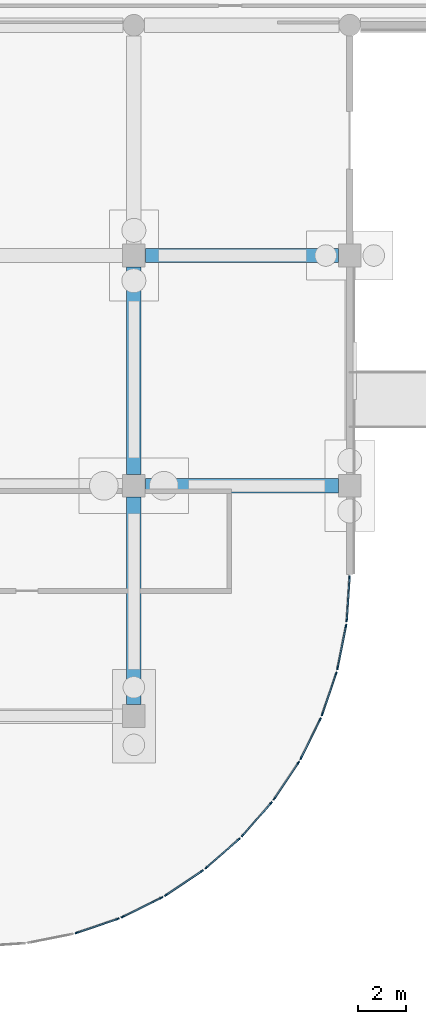
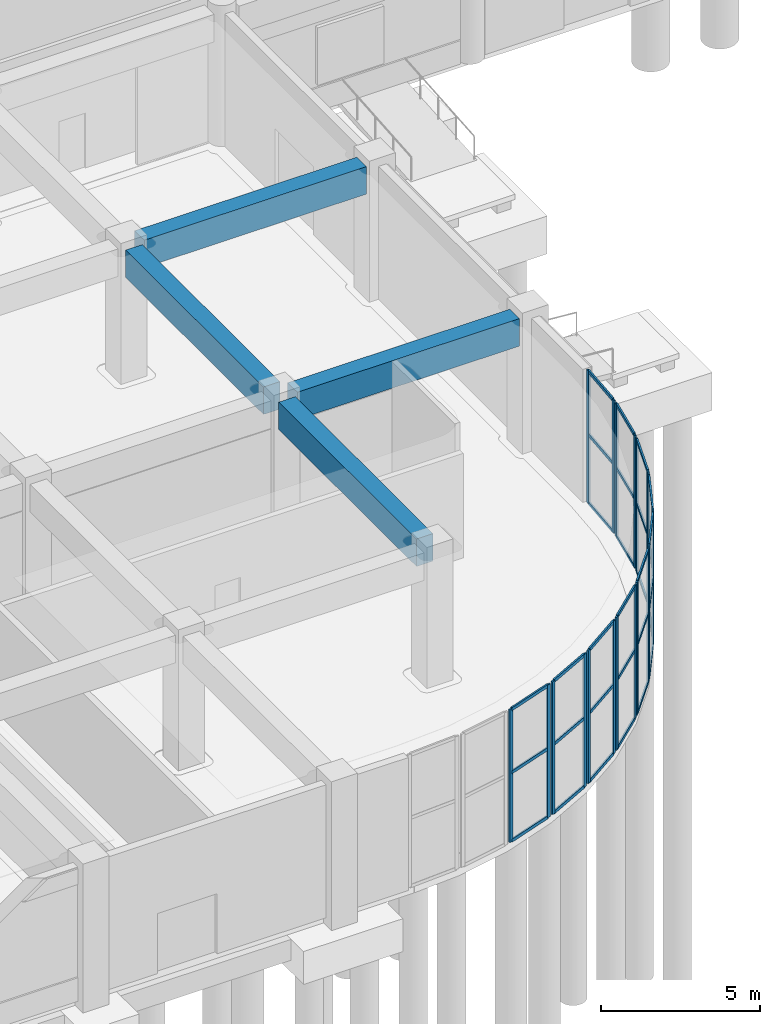
# One storey, part 16 of 74: 50 members, 4 beams, 10 elements without a shape of their own.
"""IFC4 building model written with IfcOpenShell, lengths in metres."""

from ifc_helpers import new_model, si_unit, direction, frame, origin, origin_2d, place, context, subcontext, project, spatial, rectangle, extrude, material, layer, layer_set, material_profile, profile_set, type_object, element, aggregate, save


model = new_model("IFC4")

# Units and contexts
model_context = context("Model", 3, precision=1e-05, world=origin(), true_north=direction((0.0, 1.0)))
body_context = subcontext(model_context, "Body", "Model", "MODEL_VIEW")
ifc_project = project(units=[si_unit("LENGTHUNIT", "METRE"), si_unit("AREAUNIT", "SQUARE_METRE"), si_unit("VOLUMEUNIT", "CUBIC_METRE"), si_unit("PLANEANGLEUNIT", "RADIAN"), si_unit("MASSUNIT", "GRAM", prefix="KILO")], contexts=[model_context])

# Site, building, storey
site_placement = place(None, origin())
site = spatial("IfcSite", under=ifc_project, at=site_placement, CompositionType="ELEMENT")
building_placement = place(site_placement, origin())
building = spatial("IfcBuilding", under=site, at=building_placement, Name="Cendralis Terraced Arcade", CompositionType="ELEMENT")
storey_placement = place(building_placement, origin())
storey = spatial("IfcBuildingStorey", under=building, at=storey_placement, Name="L00", CompositionType="ELEMENT", Elevation=0.0)

# Beams
ifc_material_1 = material(Name="Concrete f'c 35 MPa", Category="concrete")
ifc_material_profile_1 = material_profile(ifc_material_1, rectangle(XDim=0.60009765625, YDim=1.050048828125, at=origin_2d()), Name="RC-BM-600x1050", Category="LoadBearing")
ifc_profile_set_1 = profile_set([ifc_material_profile_1], Name="Concrete f'c 35 MPa")
beam_type = type_object("IfcBeamType", Name="BM-600x1050", PredefinedType="JOIST", material=ifc_profile_set_1)
for number, where, z_axis, x_axis, name in (
    (1, (130.675048828125, 19.199951171875, 4.56494140625), (1.0, 0.0, 0.0), (0.0, 1.0, 0.0), "Reinforced Concrete Frame Beam BM-X-L01-C-15_16"),
    (2, (130.675048828125, 28.800048828125, 4.56494140625), (1.0, 0.0, 0.0), (0.0, 1.0, 0.0), "Reinforced Concrete Frame Beam BM-X-L01-D-15_16"),
):
    element("IfcBeam", number, at=place(storey_placement, frame(where, z_axis=z_axis, x_axis=x_axis)), inside=storey, type_object=beam_type, Name=name, PredefinedType="JOIST", context=body_context, shape_type="SweptSolid", body=[
        extrude(rectangle(XDim=0.60009765625, YDim=1.050048828125, at=origin_2d()), origin(), (0.0, 0.0, 1.0), 8.050048828125),
    ])
beam_1_placement = place(storey_placement, frame((130.199951171875, 10.074951171875, 4.56494140625), z_axis=(0.0, 1.0, 0.0), x_axis=(-1.0, 0.0, 0.0)))
element("IfcBeam", 3, at=beam_1_placement, inside=storey, type_object=beam_type, Name="Reinforced Concrete Frame Beam BM-Y-L01-15-B_C", PredefinedType="JOIST", context=body_context, shape_type="SweptSolid", body=[
    extrude(rectangle(XDim=0.60009765625, YDim=1.050048828125, at=origin_2d()), origin(), (0.0, 0.0, 1.0), 8.650146484375),
])
beam_2_placement = place(storey_placement, frame((130.199951171875, 19.675048828125, 4.56494140625), z_axis=(0.0, 1.0, 0.0), x_axis=(-1.0, 0.0, 0.0)))
element("IfcBeam", 4, at=beam_2_placement, inside=storey, type_object=beam_type, Name="Reinforced Concrete Frame Beam BM-Y-L01-15-C_D", PredefinedType="JOIST", context=body_context, shape_type="SweptSolid", body=[
    extrude(rectangle(XDim=0.60009765625, YDim=1.050048828125, at=origin_2d()), origin(), (0.0, 0.0, 1.0), 8.64990234375),
])

# Curtain wall, members
ifc_material_2 = material(Name="Anodised aluminium EN AW-6063 T6", Category="aluminium")
ifc_layer = layer(ifc_material_2, 0.139892578125, Name="CW-STORE-A")
ifc_layer_set = layer_set([ifc_layer], Name="Anodised aluminium EN AW-6063 T6")
curtain_wall_type = type_object("IfcCurtainWallType", Name="CW-STORE-A", PredefinedType="USERDEFINED", material=ifc_layer_set)
curtain_wall_1_placement = place(storey_placement, origin())
curtain_wall_1 = element("IfcCurtainWall", 5, at=curtain_wall_1_placement, inside=storey, type_object=curtain_wall_type, Name="Exterior Storefront Glazing CW-L00-0001", ObjectType="STOREFRONT GLAZING", PredefinedType="USERDEFINED")
ifc_material_profile_2 = material_profile(ifc_material_2, rectangle(XDim=0.06005859375, YDim=0.139892578125, at=origin_2d()), Name="ALU-MUL-60x140")
ifc_profile_set_2 = profile_set([ifc_material_profile_2], Name="Anodised aluminium EN AW-6063 T6")
member_type_1 = type_object("IfcMemberType", Name="CW-STORE-A-MUL", PredefinedType="MULLION", material=ifc_profile_set_2)
member_1_placement = place(storey_placement, frame((139.192138671875, 15.38037109375, 0.0), z_axis=(0.0, 0.0, 1.0), x_axis=(0.997860192175, -0.065383766124, 0.0)))
member_1 = element("IfcMember", 6, at=member_1_placement, type_object=member_type_1, Name="CW-S1 mullion 1", PredefinedType="MULLION", context=body_context, shape_type="SweptSolid", body=[
    extrude(rectangle(XDim=0.06005859375, YDim=0.139892578125, at=origin_2d()), origin(), (0.0, 0.0, 1.0), 5.090087890625),
])
member_2_placement = place(storey_placement, frame((139.0751953125, 13.596435546875, 0.0), z_axis=(0.0, 0.0, 1.0), x_axis=(0.997860192175, -0.065383766124, 0.0)))
member_2 = element("IfcMember", 7, at=member_2_placement, type_object=member_type_1, Name="CW-S1 mullion 2", PredefinedType="MULLION", context=body_context, shape_type="SweptSolid", body=[
    extrude(rectangle(XDim=0.06005859375, YDim=0.139892578125, at=origin_2d()), origin(), (0.0, 0.0, 1.0), 5.090087890625),
])

curtain_wall_2_placement = place(storey_placement, origin())
curtain_wall_2 = element("IfcCurtainWall", 8, at=curtain_wall_2_placement, inside=storey, type_object=curtain_wall_type, Name="Exterior Storefront Glazing CW-L00-0002", ObjectType="STOREFRONT GLAZING", PredefinedType="USERDEFINED")
member_3_placement = place(storey_placement, frame((139.0439453125, 13.359130859375, 0.0), z_axis=(0.0, 0.0, 1.0), x_axis=(0.980796601395, -0.195033398913, 0.0)))
member_3 = element("IfcMember", 9, at=member_3_placement, type_object=member_type_1, Name="CW-S1 mullion 1", PredefinedType="MULLION", context=body_context, shape_type="SweptSolid", body=[
    extrude(rectangle(XDim=0.06005859375, YDim=0.139892578125, at=origin_2d()), origin(), (0.0, 0.0, 1.0), 5.090087890625),
])
member_4_placement = place(storey_placement, frame((138.6953125, 11.60595703125, 0.0), z_axis=(0.0, 0.0, 1.0), x_axis=(0.980796601395, -0.195033398913, 0.0)))
member_4 = element("IfcMember", 10, at=member_4_placement, type_object=member_type_1, Name="CW-S1 mullion 2", PredefinedType="MULLION", context=body_context, shape_type="SweptSolid", body=[
    extrude(rectangle(XDim=0.06005859375, YDim=0.139892578125, at=origin_2d()), origin(), (0.0, 0.0, 1.0), 5.090087890625),
])

curtain_wall_3_placement = place(storey_placement, origin())
curtain_wall_3 = element("IfcCurtainWall", 11, at=curtain_wall_3_placement, inside=storey, type_object=curtain_wall_type, Name="Exterior Storefront Glazing CW-L00-0003", ObjectType="STOREFRONT GLAZING", PredefinedType="USERDEFINED")
member_5_placement = place(storey_placement, frame((138.63330078125, 11.374755859375, 0.0), z_axis=(0.0, 0.0, 1.0), x_axis=(0.946909571674, -0.32150002033, 0.0)))
member_5 = element("IfcMember", 12, at=member_5_placement, type_object=member_type_1, Name="CW-S1 mullion 1", PredefinedType="MULLION", context=body_context, shape_type="SweptSolid", body=[
    extrude(rectangle(XDim=0.06005859375, YDim=0.139892578125, at=origin_2d()), origin(), (0.0, 0.0, 1.0), 5.090087890625),
])
member_6_placement = place(storey_placement, frame((138.05859375, 9.68212890625, 0.0), z_axis=(0.0, 0.0, 1.0), x_axis=(0.946909571674, -0.32150002033, 0.0)))
member_6 = element("IfcMember", 13, at=member_6_placement, type_object=member_type_1, Name="CW-S1 mullion 2", PredefinedType="MULLION", context=body_context, shape_type="SweptSolid", body=[
    extrude(rectangle(XDim=0.06005859375, YDim=0.139892578125, at=origin_2d()), origin(), (0.0, 0.0, 1.0), 5.090087890625),
])

curtain_wall_4_placement = place(storey_placement, origin())
curtain_wall_4 = element("IfcCurtainWall", 14, at=curtain_wall_4_placement, inside=storey, type_object=curtain_wall_type, Name="Exterior Storefront Glazing CW-L00-0004", ObjectType="STOREFRONT GLAZING", PredefinedType="USERDEFINED")
member_7_placement = place(storey_placement, frame((137.967041015625, 9.460693359375, 0.0), z_axis=(0.0, 0.0, 1.0), x_axis=(0.896881752867, -0.442270416572, 0.0)))
member_7 = element("IfcMember", 15, at=member_7_placement, type_object=member_type_1, Name="CW-S1 mullion 1", PredefinedType="MULLION", context=body_context, shape_type="SweptSolid", body=[
    extrude(rectangle(XDim=0.06005859375, YDim=0.139892578125, at=origin_2d()), origin(), (0.0, 0.0, 1.0), 5.090087890625),
])
member_8_placement = place(storey_placement, frame((137.176513671875, 7.857666015625, 0.0), z_axis=(0.0, 0.0, 1.0), x_axis=(0.896881752867, -0.442270416572, 0.0)))
member_8 = element("IfcMember", 16, at=member_8_placement, type_object=member_type_1, Name="CW-S1 mullion 2", PredefinedType="MULLION", context=body_context, shape_type="SweptSolid", body=[
    extrude(rectangle(XDim=0.06005859375, YDim=0.139892578125, at=origin_2d()), origin(), (0.0, 0.0, 1.0), 5.090087890625),
])

curtain_wall_5_placement = place(storey_placement, origin())
curtain_wall_5 = element("IfcCurtainWall", 17, at=curtain_wall_5_placement, inside=storey, type_object=curtain_wall_type, Name="Exterior Storefront Glazing CW-L00-0005", ObjectType="STOREFRONT GLAZING", PredefinedType="USERDEFINED")
member_9_placement = place(storey_placement, frame((137.056640625, 7.650146484375, 0.0), z_axis=(0.0, 0.0, 1.0), x_axis=(0.831483619587, -0.555549269065, 0.0)))
member_9 = element("IfcMember", 18, at=member_9_placement, type_object=member_type_1, Name="CW-S1 mullion 1", PredefinedType="MULLION", context=body_context, shape_type="SweptSolid", body=[
    extrude(rectangle(XDim=0.06005859375, YDim=0.139892578125, at=origin_2d()), origin(), (0.0, 0.0, 1.0), 5.090087890625),
])
member_10_placement = place(storey_placement, frame((136.063720703125, 6.1640625, 0.0), z_axis=(0.0, 0.0, 1.0), x_axis=(0.831483619587, -0.555549269065, 0.0)))
member_10 = element("IfcMember", 19, at=member_10_placement, type_object=member_type_1, Name="CW-S1 mullion 2", PredefinedType="MULLION", context=body_context, shape_type="SweptSolid", body=[
    extrude(rectangle(XDim=0.06005859375, YDim=0.139892578125, at=origin_2d()), origin(), (0.0, 0.0, 1.0), 5.090087890625),
])

curtain_wall_6_placement = place(storey_placement, origin())
curtain_wall_6 = element("IfcCurtainWall", 20, at=curtain_wall_6_placement, inside=storey, type_object=curtain_wall_type, Name="Exterior Storefront Glazing CW-L00-0006", ObjectType="STOREFRONT GLAZING", PredefinedType="USERDEFINED")
member_11_placement = place(storey_placement, frame((135.91796875, 5.973876953125, 0.0), z_axis=(0.0, 0.0, 1.0), x_axis=(0.751818424075, -0.659370197402, 0.0)))
member_11 = element("IfcMember", 21, at=member_11_placement, type_object=member_type_1, Name="CW-S1 mullion 1", PredefinedType="MULLION", context=body_context, shape_type="SweptSolid", body=[
    extrude(rectangle(XDim=0.06005859375, YDim=0.139892578125, at=origin_2d()), origin(), (0.0, 0.0, 1.0), 5.090087890625),
])
member_12_placement = place(storey_placement, frame((134.7392578125, 4.630126953125, 0.0), z_axis=(0.0, 0.0, 1.0), x_axis=(0.751818424075, -0.659370197402, 0.0)))
member_12 = element("IfcMember", 22, at=member_12_placement, type_object=member_type_1, Name="CW-S1 mullion 2", PredefinedType="MULLION", context=body_context, shape_type="SweptSolid", body=[
    extrude(rectangle(XDim=0.06005859375, YDim=0.139892578125, at=origin_2d()), origin(), (0.0, 0.0, 1.0), 5.090087890625),
])

curtain_wall_7_placement = place(storey_placement, origin())
curtain_wall_7 = element("IfcCurtainWall", 23, at=curtain_wall_7_placement, inside=storey, type_object=curtain_wall_type, Name="Exterior Storefront Glazing CW-L00-0007", ObjectType="STOREFRONT GLAZING", PredefinedType="USERDEFINED")
member_13_placement = place(storey_placement, frame((134.56982421875, 4.460693359375, 0.0), z_axis=(0.0, 0.0, 1.0), x_axis=(0.659370197402, -0.751818424075, 0.0)))
member_13 = element("IfcMember", 24, at=member_13_placement, type_object=member_type_1, Name="CW-S1 mullion 1", PredefinedType="MULLION", context=body_context, shape_type="SweptSolid", body=[
    extrude(rectangle(XDim=0.06005859375, YDim=0.139892578125, at=origin_2d()), origin(), (0.0, 0.0, 1.0), 5.090087890625),
])
member_14_placement = place(storey_placement, frame((133.22607421875, 3.281982421875, 0.0), z_axis=(0.0, 0.0, 1.0), x_axis=(0.659370197402, -0.751818424075, 0.0)))
member_14 = element("IfcMember", 25, at=member_14_placement, type_object=member_type_1, Name="CW-S1 mullion 2", PredefinedType="MULLION", context=body_context, shape_type="SweptSolid", body=[
    extrude(rectangle(XDim=0.06005859375, YDim=0.139892578125, at=origin_2d()), origin(), (0.0, 0.0, 1.0), 5.090087890625),
])

curtain_wall_8_placement = place(storey_placement, origin())
curtain_wall_8 = element("IfcCurtainWall", 26, at=curtain_wall_8_placement, inside=storey, type_object=curtain_wall_type, Name="Exterior Storefront Glazing CW-L00-0008", ObjectType="STOREFRONT GLAZING", PredefinedType="USERDEFINED")
member_15_placement = place(storey_placement, frame((133.0361328125, 3.13623046875, 0.0), z_axis=(0.0, 0.0, 1.0), x_axis=(0.555549269065, -0.831483619587, 0.0)))
member_15 = element("IfcMember", 27, at=member_15_placement, type_object=member_type_1, Name="CW-S1 mullion 1", PredefinedType="MULLION", context=body_context, shape_type="SweptSolid", body=[
    extrude(rectangle(XDim=0.06005859375, YDim=0.139892578125, at=origin_2d()), origin(), (0.0, 0.0, 1.0), 5.090087890625),
])
member_16_placement = place(storey_placement, frame((131.5498046875, 2.143310546875, 0.0), z_axis=(0.0, 0.0, 1.0), x_axis=(0.555549269065, -0.831483619587, 0.0)))
member_16 = element("IfcMember", 28, at=member_16_placement, type_object=member_type_1, Name="CW-S1 mullion 2", PredefinedType="MULLION", context=body_context, shape_type="SweptSolid", body=[
    extrude(rectangle(XDim=0.06005859375, YDim=0.139892578125, at=origin_2d()), origin(), (0.0, 0.0, 1.0), 5.090087890625),
])

curtain_wall_9_placement = place(storey_placement, origin())
curtain_wall_9 = element("IfcCurtainWall", 29, at=curtain_wall_9_placement, inside=storey, type_object=curtain_wall_type, Name="Exterior Storefront Glazing CW-L00-0009", ObjectType="STOREFRONT GLAZING", PredefinedType="USERDEFINED")
member_17_placement = place(storey_placement, frame((131.34228515625, 2.0234375, 0.0), z_axis=(0.0, 0.0, 1.0), x_axis=(0.442270416572, -0.896881752867, 0.0)))
member_17 = element("IfcMember", 30, at=member_17_placement, type_object=member_type_1, Name="CW-S1 mullion 1", PredefinedType="MULLION", context=body_context, shape_type="SweptSolid", body=[
    extrude(rectangle(XDim=0.06005859375, YDim=0.139892578125, at=origin_2d()), origin(), (0.0, 0.0, 1.0), 5.090087890625),
])
member_18_placement = place(storey_placement, frame((129.7392578125, 1.23291015625, 0.0), z_axis=(0.0, 0.0, 1.0), x_axis=(0.442270416572, -0.896881752867, 0.0)))
member_18 = element("IfcMember", 31, at=member_18_placement, type_object=member_type_1, Name="CW-S1 mullion 2", PredefinedType="MULLION", context=body_context, shape_type="SweptSolid", body=[
    extrude(rectangle(XDim=0.06005859375, YDim=0.139892578125, at=origin_2d()), origin(), (0.0, 0.0, 1.0), 5.090087890625),
])

curtain_wall_10_placement = place(storey_placement, origin())
curtain_wall_10 = element("IfcCurtainWall", 32, at=curtain_wall_10_placement, inside=storey, type_object=curtain_wall_type, Name="Exterior Storefront Glazing CW-L00-0010", ObjectType="STOREFRONT GLAZING", PredefinedType="USERDEFINED")
member_19_placement = place(storey_placement, frame((129.51806640625, 1.141357421875, 0.0), z_axis=(0.0, 0.0, 1.0), x_axis=(0.32150002033, -0.946909571674, 0.0)))
member_19 = element("IfcMember", 33, at=member_19_placement, type_object=member_type_1, Name="CW-S1 mullion 1", PredefinedType="MULLION", context=body_context, shape_type="SweptSolid", body=[
    extrude(rectangle(XDim=0.06005859375, YDim=0.139892578125, at=origin_2d()), origin(), (0.0, 0.0, 1.0), 5.090087890625),
])
member_20_placement = place(storey_placement, frame((127.8251953125, 0.566650390625, 0.0), z_axis=(0.0, 0.0, 1.0), x_axis=(0.32150002033, -0.946909571674, 0.0)))
member_20 = element("IfcMember", 34, at=member_20_placement, type_object=member_type_1, Name="CW-S1 mullion 2", PredefinedType="MULLION", context=body_context, shape_type="SweptSolid", body=[
    extrude(rectangle(XDim=0.06005859375, YDim=0.139892578125, at=origin_2d()), origin(), (0.0, 0.0, 1.0), 5.090087890625),
])

# Member
ifc_material_profile_3 = material_profile(ifc_material_2, rectangle(XDim=0.06005859375, YDim=0.1201171875, at=origin_2d()), Name="ALU-TRN-60x120")
ifc_profile_set_3 = profile_set([ifc_material_profile_3], Name="Anodised aluminium EN AW-6063 T6")
member_type_2 = type_object("IfcMemberType", Name="CW-STORE-A-TRN", PredefinedType="USERDEFINED", material=ifc_profile_set_3)
member_21_placement = place(storey_placement, frame((139.190185546875, 15.350341796875, 0.030029296875), z_axis=(-0.065430935766, -0.997857100313, 0.0), x_axis=(0.997857100313, -0.065430935766, 0.0)))
member_21 = element("IfcMember", 35, at=member_21_placement, type_object=member_type_2, Name="CW-S1 transom 1.1", ObjectType="TRANSOM", PredefinedType="USERDEFINED", context=body_context, shape_type="SweptSolid", body=[
    extrude(rectangle(XDim=0.06005859375, YDim=0.1201171875, at=origin_2d()), origin(), (0.0, 0.0, 1.0), 1.7275390625),
])

member_22_placement = place(storey_placement, frame((139.190185546875, 15.350341796875, 2.646728515625), z_axis=(-0.065430935766, -0.997857100313, 0.0), x_axis=(0.997857100313, -0.065430935766, 0.0)))
member_22 = element("IfcMember", 36, at=member_22_placement, type_object=member_type_2, Name="CW-S1 transom 1.2", ObjectType="TRANSOM", PredefinedType="USERDEFINED", context=body_context, shape_type="SweptSolid", body=[
    extrude(rectangle(XDim=0.06005859375, YDim=0.1201171875, at=origin_2d()), origin(), (0.0, 0.0, 1.0), 1.7275390625),
])

member_23_placement = place(storey_placement, frame((139.190185546875, 15.350341796875, 5.06005859375), z_axis=(-0.065430935766, -0.997857100313, 0.0), x_axis=(0.997857100313, -0.065430935766, 0.0)))
member_23 = element("IfcMember", 37, at=member_23_placement, type_object=member_type_2, Name="CW-S1 transom 1.3", ObjectType="TRANSOM", PredefinedType="USERDEFINED", context=body_context, shape_type="SweptSolid", body=[
    extrude(rectangle(XDim=0.06005859375, YDim=0.1201171875, at=origin_2d()), origin(), (0.0, 0.0, 1.0), 1.7275390625),
])

aggregate(curtain_wall_1, [member_1, member_2, member_21, member_22, member_23])

member_24_placement = place(storey_placement, frame((139.0380859375, 13.32958984375, 0.030029296875), z_axis=(-0.195055933937, -0.980792119991, 0.0), x_axis=(0.980792119991, -0.195055933937, 0.0)))
member_24 = element("IfcMember", 38, at=member_24_placement, type_object=member_type_2, Name="CW-S1 transom 1.1", ObjectType="TRANSOM", PredefinedType="USERDEFINED", context=body_context, shape_type="SweptSolid", body=[
    extrude(rectangle(XDim=0.06005859375, YDim=0.1201171875, at=origin_2d()), origin(), (0.0, 0.0, 1.0), 1.727294921875),
])

member_25_placement = place(storey_placement, frame((139.0380859375, 13.32958984375, 2.646728515625), z_axis=(-0.195055933937, -0.980792119991, 0.0), x_axis=(0.980792119991, -0.195055933937, 0.0)))
member_25 = element("IfcMember", 39, at=member_25_placement, type_object=member_type_2, Name="CW-S1 transom 1.2", ObjectType="TRANSOM", PredefinedType="USERDEFINED", context=body_context, shape_type="SweptSolid", body=[
    extrude(rectangle(XDim=0.06005859375, YDim=0.1201171875, at=origin_2d()), origin(), (0.0, 0.0, 1.0), 1.727294921875),
])

member_26_placement = place(storey_placement, frame((139.0380859375, 13.32958984375, 5.06005859375), z_axis=(-0.195055933937, -0.980792119991, 0.0), x_axis=(0.980792119991, -0.195055933937, 0.0)))
member_26 = element("IfcMember", 40, at=member_26_placement, type_object=member_type_2, Name="CW-S1 transom 1.3", ObjectType="TRANSOM", PredefinedType="USERDEFINED", context=body_context, shape_type="SweptSolid", body=[
    extrude(rectangle(XDim=0.06005859375, YDim=0.1201171875, at=origin_2d()), origin(), (0.0, 0.0, 1.0), 1.727294921875),
])

aggregate(curtain_wall_2, [member_3, member_4, member_24, member_25, member_26])

member_27_placement = place(storey_placement, frame((138.623779296875, 11.34619140625, 0.030029296875), z_axis=(-0.321522655386, -0.946901886192, 0.0), x_axis=(0.946901886192, -0.321522655386, 0.0)))
member_27 = element("IfcMember", 41, at=member_27_placement, type_object=member_type_2, Name="CW-S1 transom 1.1", ObjectType="TRANSOM", PredefinedType="USERDEFINED", context=body_context, shape_type="SweptSolid", body=[
    extrude(rectangle(XDim=0.06005859375, YDim=0.1201171875, at=origin_2d()), origin(), (0.0, 0.0, 1.0), 1.7275390625),
])

member_28_placement = place(storey_placement, frame((138.623779296875, 11.34619140625, 2.646728515625), z_axis=(-0.321522655386, -0.946901886192, 0.0), x_axis=(0.946901886192, -0.321522655386, 0.0)))
member_28 = element("IfcMember", 42, at=member_28_placement, type_object=member_type_2, Name="CW-S1 transom 1.2", ObjectType="TRANSOM", PredefinedType="USERDEFINED", context=body_context, shape_type="SweptSolid", body=[
    extrude(rectangle(XDim=0.06005859375, YDim=0.1201171875, at=origin_2d()), origin(), (0.0, 0.0, 1.0), 1.7275390625),
])

member_29_placement = place(storey_placement, frame((138.623779296875, 11.34619140625, 5.06005859375), z_axis=(-0.321522655386, -0.946901886192, 0.0), x_axis=(0.946901886192, -0.321522655386, 0.0)))
member_29 = element("IfcMember", 43, at=member_29_placement, type_object=member_type_2, Name="CW-S1 transom 1.3", ObjectType="TRANSOM", PredefinedType="USERDEFINED", context=body_context, shape_type="SweptSolid", body=[
    extrude(rectangle(XDim=0.06005859375, YDim=0.1201171875, at=origin_2d()), origin(), (0.0, 0.0, 1.0), 1.7275390625),
])

aggregate(curtain_wall_3, [member_5, member_6, member_27, member_28, member_29])

member_30_placement = place(storey_placement, frame((137.953857421875, 9.433837890625, 0.030029296875), z_axis=(-0.442345429343, -0.896844758662, 0.0), x_axis=(0.896844758662, -0.442345429343, 0.0)))
member_30 = element("IfcMember", 44, at=member_30_placement, type_object=member_type_2, Name="CW-S1 transom 1.1", ObjectType="TRANSOM", PredefinedType="USERDEFINED", context=body_context, shape_type="SweptSolid", body=[
    extrude(rectangle(XDim=0.06005859375, YDim=0.1201171875, at=origin_2d()), origin(), (0.0, 0.0, 1.0), 1.7275390625),
])

member_31_placement = place(storey_placement, frame((137.953857421875, 9.433837890625, 2.646728515625), z_axis=(-0.442345429343, -0.896844758662, 0.0), x_axis=(0.896844758662, -0.442345429343, 0.0)))
member_31 = element("IfcMember", 45, at=member_31_placement, type_object=member_type_2, Name="CW-S1 transom 1.2", ObjectType="TRANSOM", PredefinedType="USERDEFINED", context=body_context, shape_type="SweptSolid", body=[
    extrude(rectangle(XDim=0.06005859375, YDim=0.1201171875, at=origin_2d()), origin(), (0.0, 0.0, 1.0), 1.7275390625),
])

member_32_placement = place(storey_placement, frame((137.953857421875, 9.433837890625, 5.06005859375), z_axis=(-0.442345429343, -0.896844758662, 0.0), x_axis=(0.896844758662, -0.442345429343, 0.0)))
member_32 = element("IfcMember", 46, at=member_32_placement, type_object=member_type_2, Name="CW-S1 transom 1.3", ObjectType="TRANSOM", PredefinedType="USERDEFINED", context=body_context, shape_type="SweptSolid", body=[
    extrude(rectangle(XDim=0.06005859375, YDim=0.1201171875, at=origin_2d()), origin(), (0.0, 0.0, 1.0), 1.7275390625),
])

aggregate(curtain_wall_4, [member_7, member_8, member_30, member_31, member_32])

member_33_placement = place(storey_placement, frame((137.0400390625, 7.625244140625, 0.030029296875), z_axis=(-0.555580499618, -0.831462752289, 0.0), x_axis=(0.831462752289, -0.555580499618, 0.0)))
member_33 = element("IfcMember", 47, at=member_33_placement, type_object=member_type_2, Name="CW-S1 transom 1.1", ObjectType="TRANSOM", PredefinedType="USERDEFINED", context=body_context, shape_type="SweptSolid", body=[
    extrude(rectangle(XDim=0.06005859375, YDim=0.1201171875, at=origin_2d()), origin(), (0.0, 0.0, 1.0), 1.727294921875),
])

member_34_placement = place(storey_placement, frame((137.0400390625, 7.625244140625, 2.646728515625), z_axis=(-0.555580499618, -0.831462752289, 0.0), x_axis=(0.831462752289, -0.555580499618, 0.0)))
member_34 = element("IfcMember", 48, at=member_34_placement, type_object=member_type_2, Name="CW-S1 transom 1.2", ObjectType="TRANSOM", PredefinedType="USERDEFINED", context=body_context, shape_type="SweptSolid", body=[
    extrude(rectangle(XDim=0.06005859375, YDim=0.1201171875, at=origin_2d()), origin(), (0.0, 0.0, 1.0), 1.727294921875),
])

member_35_placement = place(storey_placement, frame((137.0400390625, 7.625244140625, 5.06005859375), z_axis=(-0.555580499618, -0.831462752289, 0.0), x_axis=(0.831462752289, -0.555580499618, 0.0)))
member_35 = element("IfcMember", 49, at=member_35_placement, type_object=member_type_2, Name="CW-S1 transom 1.3", ObjectType="TRANSOM", PredefinedType="USERDEFINED", context=body_context, shape_type="SweptSolid", body=[
    extrude(rectangle(XDim=0.06005859375, YDim=0.1201171875, at=origin_2d()), origin(), (0.0, 0.0, 1.0), 1.727294921875),
])

aggregate(curtain_wall_5, [member_9, member_10, member_33, member_34, member_35])

member_36_placement = place(storey_placement, frame((135.898193359375, 5.951416015625, 0.030029296875), z_axis=(-0.659384573939, -0.751805815122, 0.0), x_axis=(0.751805815122, -0.659384573939, 0.0)))
member_36 = element("IfcMember", 50, at=member_36_placement, type_object=member_type_2, Name="CW-S1 transom 1.1", ObjectType="TRANSOM", PredefinedType="USERDEFINED", context=body_context, shape_type="SweptSolid", body=[
    extrude(rectangle(XDim=0.06005859375, YDim=0.1201171875, at=origin_2d()), origin(), (0.0, 0.0, 1.0), 1.7275390625),
])

member_37_placement = place(storey_placement, frame((135.898193359375, 5.951416015625, 2.646728515625), z_axis=(-0.659384573939, -0.751805815122, 0.0), x_axis=(0.751805815122, -0.659384573939, 0.0)))
member_37 = element("IfcMember", 51, at=member_37_placement, type_object=member_type_2, Name="CW-S1 transom 1.2", ObjectType="TRANSOM", PredefinedType="USERDEFINED", context=body_context, shape_type="SweptSolid", body=[
    extrude(rectangle(XDim=0.06005859375, YDim=0.1201171875, at=origin_2d()), origin(), (0.0, 0.0, 1.0), 1.7275390625),
])

member_38_placement = place(storey_placement, frame((135.898193359375, 5.951416015625, 5.06005859375), z_axis=(-0.659384573939, -0.751805815122, 0.0), x_axis=(0.751805815122, -0.659384573939, 0.0)))
member_38 = element("IfcMember", 52, at=member_38_placement, type_object=member_type_2, Name="CW-S1 transom 1.3", ObjectType="TRANSOM", PredefinedType="USERDEFINED", context=body_context, shape_type="SweptSolid", body=[
    extrude(rectangle(XDim=0.06005859375, YDim=0.1201171875, at=origin_2d()), origin(), (0.0, 0.0, 1.0), 1.7275390625),
])

aggregate(curtain_wall_6, [member_11, member_12, member_36, member_37, member_38])

member_39_placement = place(storey_placement, frame((134.54736328125, 4.44091796875, 0.030029296875), z_axis=(-0.751805815122, -0.659384573939, 0.0), x_axis=(0.659384573939, -0.751805815122, 0.0)))
member_39 = element("IfcMember", 53, at=member_39_placement, type_object=member_type_2, Name="CW-S1 transom 1.1", ObjectType="TRANSOM", PredefinedType="USERDEFINED", context=body_context, shape_type="SweptSolid", body=[
    extrude(rectangle(XDim=0.06005859375, YDim=0.1201171875, at=origin_2d()), origin(), (0.0, 0.0, 1.0), 1.7275390625),
])

member_40_placement = place(storey_placement, frame((134.54736328125, 4.44091796875, 2.646728515625), z_axis=(-0.751805815122, -0.659384573939, 0.0), x_axis=(0.659384573939, -0.751805815122, 0.0)))
member_40 = element("IfcMember", 54, at=member_40_placement, type_object=member_type_2, Name="CW-S1 transom 1.2", ObjectType="TRANSOM", PredefinedType="USERDEFINED", context=body_context, shape_type="SweptSolid", body=[
    extrude(rectangle(XDim=0.06005859375, YDim=0.1201171875, at=origin_2d()), origin(), (0.0, 0.0, 1.0), 1.7275390625),
])

member_41_placement = place(storey_placement, frame((134.54736328125, 4.44091796875, 5.06005859375), z_axis=(-0.751805815122, -0.659384573939, 0.0), x_axis=(0.659384573939, -0.751805815122, 0.0)))
member_41 = element("IfcMember", 55, at=member_41_placement, type_object=member_type_2, Name="CW-S1 transom 1.3", ObjectType="TRANSOM", PredefinedType="USERDEFINED", context=body_context, shape_type="SweptSolid", body=[
    extrude(rectangle(XDim=0.06005859375, YDim=0.1201171875, at=origin_2d()), origin(), (0.0, 0.0, 1.0), 1.7275390625),
])

aggregate(curtain_wall_7, [member_13, member_14, member_39, member_40, member_41])

member_42_placement = place(storey_placement, frame((133.01123046875, 3.11962890625, 0.030029296875), z_axis=(-0.831506369852, -0.55551521752, 0.0), x_axis=(0.55551521752, -0.831506369852, 0.0)))
member_42 = element("IfcMember", 56, at=member_42_placement, type_object=member_type_2, Name="CW-S1 transom 1.1", ObjectType="TRANSOM", PredefinedType="USERDEFINED", context=body_context, shape_type="SweptSolid", body=[
    extrude(rectangle(XDim=0.06005859375, YDim=0.1201171875, at=origin_2d()), origin(), (0.0, 0.0, 1.0), 1.7275390625),
])

member_43_placement = place(storey_placement, frame((133.01123046875, 3.11962890625, 2.646728515625), z_axis=(-0.831506369852, -0.55551521752, 0.0), x_axis=(0.55551521752, -0.831506369852, 0.0)))
member_43 = element("IfcMember", 57, at=member_43_placement, type_object=member_type_2, Name="CW-S1 transom 1.2", ObjectType="TRANSOM", PredefinedType="USERDEFINED", context=body_context, shape_type="SweptSolid", body=[
    extrude(rectangle(XDim=0.06005859375, YDim=0.1201171875, at=origin_2d()), origin(), (0.0, 0.0, 1.0), 1.7275390625),
])

member_44_placement = place(storey_placement, frame((133.01123046875, 3.11962890625, 5.06005859375), z_axis=(-0.831506369852, -0.55551521752, 0.0), x_axis=(0.55551521752, -0.831506369852, 0.0)))
member_44 = element("IfcMember", 58, at=member_44_placement, type_object=member_type_2, Name="CW-S1 transom 1.3", ObjectType="TRANSOM", PredefinedType="USERDEFINED", context=body_context, shape_type="SweptSolid", body=[
    extrude(rectangle(XDim=0.06005859375, YDim=0.1201171875, at=origin_2d()), origin(), (0.0, 0.0, 1.0), 1.7275390625),
])

aggregate(curtain_wall_8, [member_15, member_16, member_42, member_43, member_44])

member_45_placement = place(storey_placement, frame((131.3154296875, 2.01025390625, 0.030029296875), z_axis=(-0.896900820504, -0.442231747141, 0.0), x_axis=(0.442231747141, -0.896900820504, 0.0)))
member_45 = element("IfcMember", 59, at=member_45_placement, type_object=member_type_2, Name="CW-S1 transom 1.1", ObjectType="TRANSOM", PredefinedType="USERDEFINED", context=body_context, shape_type="SweptSolid", body=[
    extrude(rectangle(XDim=0.06005859375, YDim=0.1201171875, at=origin_2d()), origin(), (0.0, 0.0, 1.0), 1.727294921875),
])

member_46_placement = place(storey_placement, frame((131.3154296875, 2.01025390625, 2.646728515625), z_axis=(-0.896900820504, -0.442231747141, 0.0), x_axis=(0.442231747141, -0.896900820504, 0.0)))
member_46 = element("IfcMember", 60, at=member_46_placement, type_object=member_type_2, Name="CW-S1 transom 1.2", ObjectType="TRANSOM", PredefinedType="USERDEFINED", context=body_context, shape_type="SweptSolid", body=[
    extrude(rectangle(XDim=0.06005859375, YDim=0.1201171875, at=origin_2d()), origin(), (0.0, 0.0, 1.0), 1.727294921875),
])

member_47_placement = place(storey_placement, frame((131.3154296875, 2.01025390625, 5.06005859375), z_axis=(-0.896900820504, -0.442231747141, 0.0), x_axis=(0.442231747141, -0.896900820504, 0.0)))
member_47 = element("IfcMember", 61, at=member_47_placement, type_object=member_type_2, Name="CW-S1 transom 1.3", ObjectType="TRANSOM", PredefinedType="USERDEFINED", context=body_context, shape_type="SweptSolid", body=[
    extrude(rectangle(XDim=0.06005859375, YDim=0.1201171875, at=origin_2d()), origin(), (0.0, 0.0, 1.0), 1.727294921875),
])

aggregate(curtain_wall_9, [member_17, member_18, member_45, member_46, member_47])

member_48_placement = place(storey_placement, frame((129.489501953125, 1.131591796875, 0.030029296875), z_axis=(-0.946901886192, -0.321522655386, 0.0), x_axis=(0.321522655386, -0.946901886192, 0.0)))
member_48 = element("IfcMember", 62, at=member_48_placement, type_object=member_type_2, Name="CW-S1 transom 1.1", ObjectType="TRANSOM", PredefinedType="USERDEFINED", context=body_context, shape_type="SweptSolid", body=[
    extrude(rectangle(XDim=0.06005859375, YDim=0.1201171875, at=origin_2d()), origin(), (0.0, 0.0, 1.0), 1.7275390625),
])

member_49_placement = place(storey_placement, frame((129.489501953125, 1.131591796875, 2.646728515625), z_axis=(-0.946901886192, -0.321522655386, 0.0), x_axis=(0.321522655386, -0.946901886192, 0.0)))
member_49 = element("IfcMember", 63, at=member_49_placement, type_object=member_type_2, Name="CW-S1 transom 1.2", ObjectType="TRANSOM", PredefinedType="USERDEFINED", context=body_context, shape_type="SweptSolid", body=[
    extrude(rectangle(XDim=0.06005859375, YDim=0.1201171875, at=origin_2d()), origin(), (0.0, 0.0, 1.0), 1.7275390625),
])

member_50_placement = place(storey_placement, frame((129.489501953125, 1.131591796875, 5.06005859375), z_axis=(-0.946901886192, -0.321522655386, 0.0), x_axis=(0.321522655386, -0.946901886192, 0.0)))
member_50 = element("IfcMember", 64, at=member_50_placement, type_object=member_type_2, Name="CW-S1 transom 1.3", ObjectType="TRANSOM", PredefinedType="USERDEFINED", context=body_context, shape_type="SweptSolid", body=[
    extrude(rectangle(XDim=0.06005859375, YDim=0.1201171875, at=origin_2d()), origin(), (0.0, 0.0, 1.0), 1.7275390625),
])

aggregate(curtain_wall_10, [member_19, member_20, member_48, member_49, member_50])

save(model, "model.ifc")
